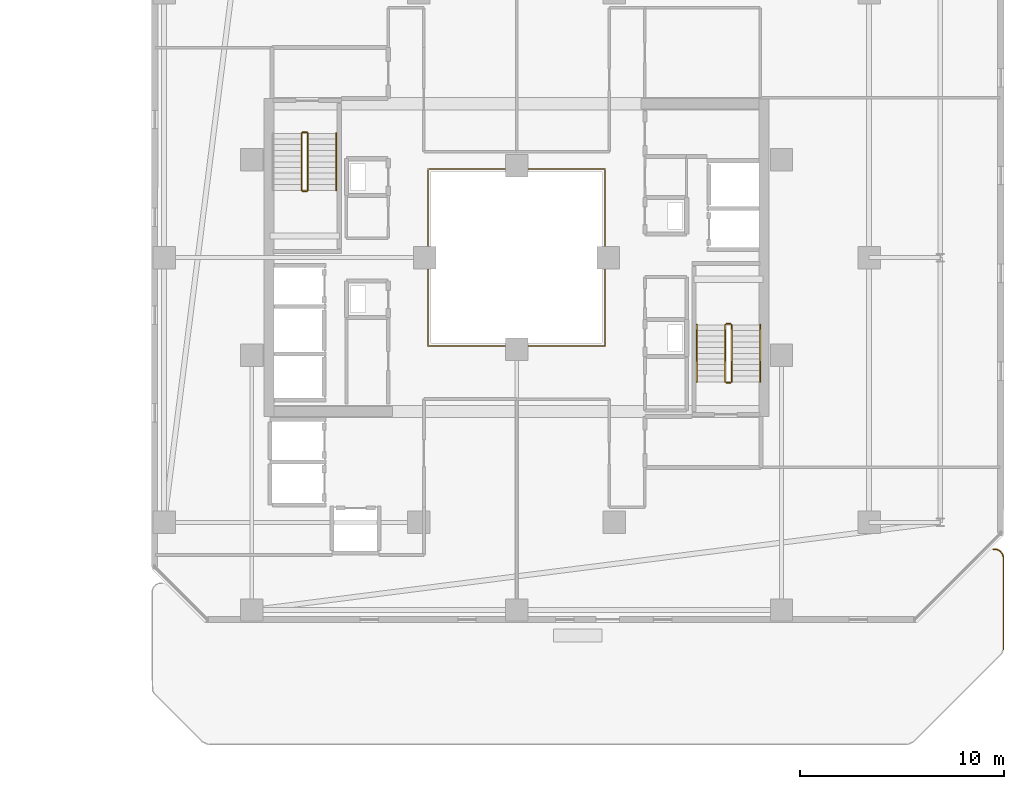
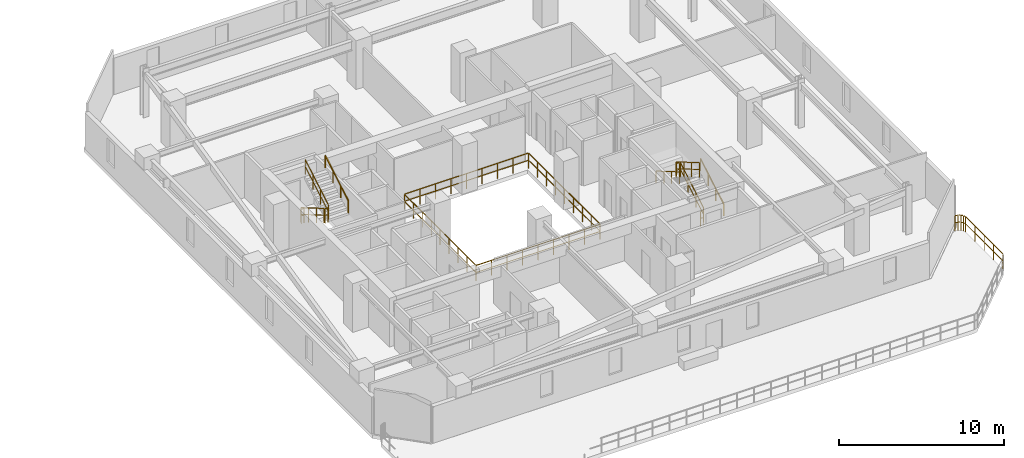
# One storey, part 30 of 30: 13 railings.
"""IFC4 building model written with IfcOpenShell, lengths in metres."""

from ifc_helpers import new_model, si_unit, direction, frame, origin, origin_2d, place, context, subcontext, project, spatial, rectangle, extrude, material, type_object, element, save


model = new_model("IFC4")

# Units and contexts
model_context = context("Model", 3, precision=1e-05, world=origin(), true_north=direction((0.0, 1.0)))
body_context = subcontext(model_context, "Body", "Model", "MODEL_VIEW")
ifc_project = project(units=[si_unit("LENGTHUNIT", "METRE"), si_unit("AREAUNIT", "SQUARE_METRE"), si_unit("VOLUMEUNIT", "CUBIC_METRE"), si_unit("PLANEANGLEUNIT", "RADIAN"), si_unit("MASSUNIT", "GRAM", prefix="KILO")], contexts=[model_context])

# Site, building, storey
site_placement = place(None, origin())
site = spatial("IfcSite", under=ifc_project, at=site_placement, CompositionType="ELEMENT")
building_placement = place(site_placement, origin())
building = spatial("IfcBuilding", under=site, at=building_placement, Name="Thornwick Lancets Civic Towers", CompositionType="ELEMENT")
storey_placement = place(building_placement, frame((0.0, 0.0, 149.10009765625)))
storey = spatial("IfcBuildingStorey", under=building, at=storey_placement, Name="L39", CompositionType="ELEMENT", Elevation=149.10009765625)

# Railings
ifc_material_1 = material(Name="Laminated glass and bronze steel S355", Category="steel")
railing_type_1 = type_object("IfcRailingType", Name="RAIL_ATRIUM_GUARD", PredefinedType="BALUSTRADE", material=ifc_material_1)
railing_1_placement = place(storey_placement, frame((84.159912109375, 22.659912109375, 0.0)))
element("IfcRailing", 1, at=railing_1_placement, inside=storey, type_object=railing_type_1, Name="L39 Tower B Central Atrium Guard Balustrade", PredefinedType="BALUSTRADE", context=body_context, shape_type="SweptSolid", body=[
    extrude(rectangle(XDim=0.048095703125, YDim=0.048095703125, at=origin_2d()), frame((0.0, 0.0, 1.1259765625), z_axis=(1.0, 0.0, 0.0), x_axis=(0.0, 1.0, 0.0)), (0.0, 0.0, 1.0), 8.64892578125),
    extrude(rectangle(XDim=0.0419921875, YDim=0.0419921875, at=origin_2d()), frame((0.03759765625, 0.0, 0.597900390625), z_axis=(1.0, 0.0, 0.0), x_axis=(0.0, 1.0, 0.0)), (0.0, 0.0, 1.0), 1.010009765625),
    extrude(rectangle(XDim=0.0419921875, YDim=0.0419921875, at=origin_2d()), frame((1.12255859375, 0.0, 0.597900390625), z_axis=(1.0, 0.0, 0.0), x_axis=(0.0, 1.0, 0.0)), (0.0, 0.0, 1.0), 1.010009765625),
    extrude(rectangle(XDim=0.0419921875, YDim=0.0419921875, at=origin_2d()), frame((2.20751953125, 0.0, 0.597900390625), z_axis=(1.0, 0.0, 0.0), x_axis=(0.0, 1.0, 0.0)), (0.0, 0.0, 1.0), 1.010009765625),
    extrude(rectangle(XDim=0.0419921875, YDim=0.0419921875, at=origin_2d()), frame((3.29248046875, 0.0, 0.597900390625), z_axis=(1.0, 0.0, 0.0), x_axis=(0.0, 1.0, 0.0)), (0.0, 0.0, 1.0), 1.010009765625),
    extrude(rectangle(XDim=0.0419921875, YDim=0.0419921875, at=origin_2d()), frame((4.377685546875, 0.0, 0.597900390625), z_axis=(1.0, 0.0, 0.0), x_axis=(0.0, 1.0, 0.0)), (0.0, 0.0, 1.0), 1.010009765625),
    extrude(rectangle(XDim=0.0419921875, YDim=0.0419921875, at=origin_2d()), frame((5.462646484375, 0.0, 0.597900390625), z_axis=(1.0, 0.0, 0.0), x_axis=(0.0, 1.0, 0.0)), (0.0, 0.0, 1.0), 1.010009765625),
    extrude(rectangle(XDim=0.0419921875, YDim=0.0419921875, at=origin_2d()), frame((6.547607421875, 0.0, 0.597900390625), z_axis=(1.0, 0.0, 0.0), x_axis=(0.0, 1.0, 0.0)), (0.0, 0.0, 1.0), 1.010009765625),
    extrude(rectangle(XDim=0.0419921875, YDim=0.0419921875, at=origin_2d()), frame((7.632568359375, 0.0, 0.597900390625), z_axis=(1.0, 0.0, 0.0), x_axis=(0.0, 1.0, 0.0)), (0.0, 0.0, 1.0), 1.010009765625),
    extrude(rectangle(XDim=0.048095703125, YDim=0.048095703125, at=origin_2d()), frame((8.68017578125, 0.03125, 1.1259765625), z_axis=(0.0, 1.0, 0.0), x_axis=(-1.0, 0.0, 0.0)), (0.0, 0.0, 1.0), 8.61767578125),
    extrude(rectangle(XDim=0.0419921875, YDim=0.0419921875, at=origin_2d()), frame((8.68017578125, 0.03759765625, 0.597900390625), z_axis=(0.0, 1.0, 0.0), x_axis=(-1.0, 0.0, 0.0)), (0.0, 0.0, 1.0), 1.010009765625),
    extrude(rectangle(XDim=0.0419921875, YDim=0.0419921875, at=origin_2d()), frame((8.68017578125, 1.12255859375, 0.597900390625), z_axis=(0.0, 1.0, 0.0), x_axis=(-1.0, 0.0, 0.0)), (0.0, 0.0, 1.0), 1.010009765625),
    extrude(rectangle(XDim=0.0419921875, YDim=0.0419921875, at=origin_2d()), frame((8.68017578125, 2.20751953125, 0.597900390625), z_axis=(0.0, 1.0, 0.0), x_axis=(-1.0, 0.0, 0.0)), (0.0, 0.0, 1.0), 1.010009765625),
    extrude(rectangle(XDim=0.0419921875, YDim=0.0419921875, at=origin_2d()), frame((8.68017578125, 3.29248046875, 0.597900390625), z_axis=(0.0, 1.0, 0.0), x_axis=(-1.0, 0.0, 0.0)), (0.0, 0.0, 1.0), 1.010009765625),
    extrude(rectangle(XDim=0.0419921875, YDim=0.0419921875, at=origin_2d()), frame((8.68017578125, 4.377685546875, 0.597900390625), z_axis=(0.0, 1.0, 0.0), x_axis=(-1.0, 0.0, 0.0)), (0.0, 0.0, 1.0), 1.010009765625),
    extrude(rectangle(XDim=0.0419921875, YDim=0.0419921875, at=origin_2d()), frame((8.68017578125, 5.462646484375, 0.597900390625), z_axis=(0.0, 1.0, 0.0), x_axis=(-1.0, 0.0, 0.0)), (0.0, 0.0, 1.0), 1.010009765625),
    extrude(rectangle(XDim=0.0419921875, YDim=0.0419921875, at=origin_2d()), frame((8.68017578125, 6.547607421875, 0.597900390625), z_axis=(0.0, 1.0, 0.0), x_axis=(-1.0, 0.0, 0.0)), (0.0, 0.0, 1.0), 1.010009765625),
    extrude(rectangle(XDim=0.0419921875, YDim=0.0419921875, at=origin_2d()), frame((8.68017578125, 7.632568359375, 0.597900390625), z_axis=(0.0, 1.0, 0.0), x_axis=(-1.0, 0.0, 0.0)), (0.0, 0.0, 1.0), 1.010009765625),
    extrude(rectangle(XDim=0.048095703125, YDim=0.048095703125, at=origin_2d()), frame((8.64892578125, 8.68017578125, 1.1259765625), z_axis=(-1.0, 0.0, 0.0), x_axis=(0.0, -1.0, 0.0)), (0.0, 0.0, 1.0), 8.61767578125),
    extrude(rectangle(XDim=0.0419921875, YDim=0.0419921875, at=origin_2d()), frame((8.642578125, 8.68017578125, 0.597900390625), z_axis=(-1.0, 0.0, 0.0), x_axis=(0.0, -1.0, 0.0)), (0.0, 0.0, 1.0), 1.010009765625),
    extrude(rectangle(XDim=0.0419921875, YDim=0.0419921875, at=origin_2d()), frame((7.5576171875, 8.68017578125, 0.597900390625), z_axis=(-1.0, 0.0, 0.0), x_axis=(0.0, -1.0, 0.0)), (0.0, 0.0, 1.0), 1.010009765625),
    extrude(rectangle(XDim=0.0419921875, YDim=0.0419921875, at=origin_2d()), frame((6.47265625, 8.68017578125, 0.597900390625), z_axis=(-1.0, 0.0, 0.0), x_axis=(0.0, -1.0, 0.0)), (0.0, 0.0, 1.0), 1.010009765625),
    extrude(rectangle(XDim=0.0419921875, YDim=0.0419921875, at=origin_2d()), frame((5.3876953125, 8.68017578125, 0.597900390625), z_axis=(-1.0, 0.0, 0.0), x_axis=(0.0, -1.0, 0.0)), (0.0, 0.0, 1.0), 1.010009765625),
    extrude(rectangle(XDim=0.0419921875, YDim=0.0419921875, at=origin_2d()), frame((4.302490234375, 8.68017578125, 0.597900390625), z_axis=(-1.0, 0.0, 0.0), x_axis=(0.0, -1.0, 0.0)), (0.0, 0.0, 1.0), 1.010009765625),
    extrude(rectangle(XDim=0.0419921875, YDim=0.0419921875, at=origin_2d()), frame((3.217529296875, 8.68017578125, 0.597900390625), z_axis=(-1.0, 0.0, 0.0), x_axis=(0.0, -1.0, 0.0)), (0.0, 0.0, 1.0), 1.010009765625),
    extrude(rectangle(XDim=0.0419921875, YDim=0.0419921875, at=origin_2d()), frame((2.132568359375, 8.68017578125, 0.597900390625), z_axis=(-1.0, 0.0, 0.0), x_axis=(0.0, -1.0, 0.0)), (0.0, 0.0, 1.0), 1.010009765625),
    extrude(rectangle(XDim=0.0419921875, YDim=0.0419921875, at=origin_2d()), frame((1.047607421875, 8.68017578125, 0.597900390625), z_axis=(-1.0, 0.0, 0.0), x_axis=(0.0, -1.0, 0.0)), (0.0, 0.0, 1.0), 1.010009765625),
    extrude(rectangle(XDim=0.048095703125, YDim=0.048095703125, at=origin_2d()), frame((0.0, 8.64892578125, 1.1259765625), z_axis=(0.0, -1.0, 0.0), x_axis=(1.0, 0.0, 0.0)), (0.0, 0.0, 1.0), 8.64892578125),
    extrude(rectangle(XDim=0.0419921875, YDim=0.0419921875, at=origin_2d()), frame((0.0, 8.642578125, 0.597900390625), z_axis=(0.0, -1.0, 0.0), x_axis=(1.0, 0.0, 0.0)), (0.0, 0.0, 1.0), 1.010009765625),
    extrude(rectangle(XDim=0.0419921875, YDim=0.0419921875, at=origin_2d()), frame((0.0, 7.5576171875, 0.597900390625), z_axis=(0.0, -1.0, 0.0), x_axis=(1.0, 0.0, 0.0)), (0.0, 0.0, 1.0), 1.010009765625),
    extrude(rectangle(XDim=0.0419921875, YDim=0.0419921875, at=origin_2d()), frame((0.0, 6.47265625, 0.597900390625), z_axis=(0.0, -1.0, 0.0), x_axis=(1.0, 0.0, 0.0)), (0.0, 0.0, 1.0), 1.010009765625),
    extrude(rectangle(XDim=0.0419921875, YDim=0.0419921875, at=origin_2d()), frame((0.0, 5.3876953125, 0.597900390625), z_axis=(0.0, -1.0, 0.0), x_axis=(1.0, 0.0, 0.0)), (0.0, 0.0, 1.0), 1.010009765625),
    extrude(rectangle(XDim=0.0419921875, YDim=0.0419921875, at=origin_2d()), frame((0.0, 4.302490234375, 0.597900390625), z_axis=(0.0, -1.0, 0.0), x_axis=(1.0, 0.0, 0.0)), (0.0, 0.0, 1.0), 1.010009765625),
    extrude(rectangle(XDim=0.0419921875, YDim=0.0419921875, at=origin_2d()), frame((0.0, 3.217529296875, 0.597900390625), z_axis=(0.0, -1.0, 0.0), x_axis=(1.0, 0.0, 0.0)), (0.0, 0.0, 1.0), 1.010009765625),
    extrude(rectangle(XDim=0.0419921875, YDim=0.0419921875, at=origin_2d()), frame((0.0, 2.132568359375, 0.597900390625), z_axis=(0.0, -1.0, 0.0), x_axis=(1.0, 0.0, 0.0)), (0.0, 0.0, 1.0), 1.010009765625),
    extrude(rectangle(XDim=0.0419921875, YDim=0.0419921875, at=origin_2d()), frame((0.0, 1.047607421875, 0.597900390625), z_axis=(0.0, -1.0, 0.0), x_axis=(1.0, 0.0, 0.0)), (0.0, 0.0, 1.0), 1.010009765625),
    extrude(rectangle(XDim=0.0419921875, YDim=0.0419921875, at=origin_2d()), origin(), (0.0, 0.0, 1.0), 1.095703125),
    extrude(rectangle(XDim=0.0419921875, YDim=0.0419921875, at=origin_2d()), frame((1.0849609375, 0.0, 0.0)), (0.0, 0.0, 1.0), 1.095703125),
    extrude(rectangle(XDim=0.0419921875, YDim=0.0419921875, at=origin_2d()), frame((2.169921875, 0.0, 0.0)), (0.0, 0.0, 1.0), 1.095703125),
    extrude(rectangle(XDim=0.0419921875, YDim=0.0419921875, at=origin_2d()), frame((3.255126953125, 0.0, 0.0)), (0.0, 0.0, 1.0), 1.095703125),
    extrude(rectangle(XDim=0.0419921875, YDim=0.0419921875, at=origin_2d()), frame((4.340087890625, 0.0, 0.0)), (0.0, 0.0, 1.0), 1.095703125),
    extrude(rectangle(XDim=0.0419921875, YDim=0.0419921875, at=origin_2d()), frame((5.425048828125, 0.0, 0.0)), (0.0, 0.0, 1.0), 1.095703125),
    extrude(rectangle(XDim=0.0419921875, YDim=0.0419921875, at=origin_2d()), frame((6.51025390625, 0.0, 0.0)), (0.0, 0.0, 1.0), 1.095703125),
    extrude(rectangle(XDim=0.0419921875, YDim=0.0419921875, at=origin_2d()), frame((7.59521484375, 0.0, 0.0)), (0.0, 0.0, 1.0), 1.095703125),
    extrude(rectangle(XDim=0.0419921875, YDim=0.0419921875, at=origin_2d()), frame((8.68017578125, 0.0, 0.0)), (0.0, 0.0, 1.0), 1.095703125),
    extrude(rectangle(XDim=0.0419921875, YDim=0.0419921875, at=origin_2d()), frame((8.68017578125, 1.0849609375, 0.0)), (0.0, 0.0, 1.0), 1.095703125),
    extrude(rectangle(XDim=0.0419921875, YDim=0.0419921875, at=origin_2d()), frame((8.68017578125, 2.169921875, 0.0)), (0.0, 0.0, 1.0), 1.095703125),
    extrude(rectangle(XDim=0.0419921875, YDim=0.0419921875, at=origin_2d()), frame((8.68017578125, 3.255126953125, 0.0)), (0.0, 0.0, 1.0), 1.095703125),
    extrude(rectangle(XDim=0.0419921875, YDim=0.0419921875, at=origin_2d()), frame((8.68017578125, 4.340087890625, 0.0)), (0.0, 0.0, 1.0), 1.095703125),
    extrude(rectangle(XDim=0.0419921875, YDim=0.0419921875, at=origin_2d()), frame((8.68017578125, 5.425048828125, 0.0)), (0.0, 0.0, 1.0), 1.095703125),
    extrude(rectangle(XDim=0.0419921875, YDim=0.0419921875, at=origin_2d()), frame((8.68017578125, 6.51025390625, 0.0)), (0.0, 0.0, 1.0), 1.095703125),
    extrude(rectangle(XDim=0.0419921875, YDim=0.0419921875, at=origin_2d()), frame((8.68017578125, 7.59521484375, 0.0)), (0.0, 0.0, 1.0), 1.095703125),
    extrude(rectangle(XDim=0.0419921875, YDim=0.0419921875, at=origin_2d()), frame((8.68017578125, 8.68017578125, 0.0)), (0.0, 0.0, 1.0), 1.095703125),
    extrude(rectangle(XDim=0.0419921875, YDim=0.0419921875, at=origin_2d()), frame((7.59521484375, 8.68017578125, 0.0)), (0.0, 0.0, 1.0), 1.095703125),
    extrude(rectangle(XDim=0.0419921875, YDim=0.0419921875, at=origin_2d()), frame((6.51025390625, 8.68017578125, 0.0)), (0.0, 0.0, 1.0), 1.095703125),
    extrude(rectangle(XDim=0.0419921875, YDim=0.0419921875, at=origin_2d()), frame((5.425048828125, 8.68017578125, 0.0)), (0.0, 0.0, 1.0), 1.095703125),
    extrude(rectangle(XDim=0.0419921875, YDim=0.0419921875, at=origin_2d()), frame((4.340087890625, 8.68017578125, 0.0)), (0.0, 0.0, 1.0), 1.095703125),
    extrude(rectangle(XDim=0.0419921875, YDim=0.0419921875, at=origin_2d()), frame((3.255126953125, 8.68017578125, 0.0)), (0.0, 0.0, 1.0), 1.095703125),
    extrude(rectangle(XDim=0.0419921875, YDim=0.0419921875, at=origin_2d()), frame((2.169921875, 8.68017578125, 0.0)), (0.0, 0.0, 1.0), 1.095703125),
    extrude(rectangle(XDim=0.0419921875, YDim=0.0419921875, at=origin_2d()), frame((1.0849609375, 8.68017578125, 0.0)), (0.0, 0.0, 1.0), 1.095703125),
    extrude(rectangle(XDim=0.0419921875, YDim=0.0419921875, at=origin_2d()), frame((0.0, 8.68017578125, 0.0)), (0.0, 0.0, 1.0), 1.095703125),
    extrude(rectangle(XDim=0.0419921875, YDim=0.0419921875, at=origin_2d()), frame((0.0, 7.59521484375, 0.0)), (0.0, 0.0, 1.0), 1.095703125),
    extrude(rectangle(XDim=0.0419921875, YDim=0.0419921875, at=origin_2d()), frame((0.0, 6.51025390625, 0.0)), (0.0, 0.0, 1.0), 1.095703125),
    extrude(rectangle(XDim=0.0419921875, YDim=0.0419921875, at=origin_2d()), frame((0.0, 5.425048828125, 0.0)), (0.0, 0.0, 1.0), 1.095703125),
    extrude(rectangle(XDim=0.0419921875, YDim=0.0419921875, at=origin_2d()), frame((0.0, 4.340087890625, 0.0)), (0.0, 0.0, 1.0), 1.095703125),
    extrude(rectangle(XDim=0.0419921875, YDim=0.0419921875, at=origin_2d()), frame((0.0, 3.255126953125, 0.0)), (0.0, 0.0, 1.0), 1.095703125),
    extrude(rectangle(XDim=0.0419921875, YDim=0.0419921875, at=origin_2d()), frame((0.0, 2.169921875, 0.0)), (0.0, 0.0, 1.0), 1.095703125),
    extrude(rectangle(XDim=0.0419921875, YDim=0.0419921875, at=origin_2d()), frame((0.0, 1.0849609375, 0.0)), (0.0, 0.0, 1.0), 1.095703125),
])
ifc_material_2 = material(Name="Brushed stainless steel S355", Category="steel")
railing_type_2 = type_object("IfcRailingType", Name="RAIL_HANDRAIL", PredefinedType="HANDRAIL", material=ifc_material_2)
railing_2_placement = place(storey_placement, frame((100.449951171875, 20.89990234375, 0.16357421875)))
element("IfcRailing", 2, at=railing_2_placement, inside=storey, type_object=railing_type_2, Name="L39 ST-B1 stair handrail 1", PredefinedType="HANDRAIL", context=body_context, shape_type="SweptSolid", body=[
    extrude(rectangle(XDim=0.048095703125, YDim=0.048095703125, at=origin_2d()), frame((0.0, 0.0, 0.8857421875), z_axis=(0.0, 0.863393664356, 0.504530851732), x_axis=(-1.0, 0.0, 0.0)), (0.0, 0.0, 1.0), 3.2431640625),
    extrude(rectangle(XDim=0.0419921875, YDim=0.0419921875, at=origin_2d()), origin(), (0.0, 0.0, 1.0), 0.855712890625),
    extrude(rectangle(XDim=0.0419921875, YDim=0.0419921875, at=origin_2d()), frame((0.0, 0.933349609375, 0.54541015625)), (0.0, 0.0, 1.0), 0.855712890625),
    extrude(rectangle(XDim=0.0419921875, YDim=0.0419921875, at=origin_2d()), frame((0.0, 1.86669921875, 1.0908203125)), (0.0, 0.0, 1.0), 0.855712890625),
    extrude(rectangle(XDim=0.0419921875, YDim=0.0419921875, at=origin_2d()), frame((0.0, 2.800048828125, 1.63623046875)), (0.0, 0.0, 1.0), 0.855712890625),
])
railing_3_placement = place(storey_placement, frame((97.35009765625, 23.699951171875, 1.963623046875)))
element("IfcRailing", 3, at=railing_3_placement, inside=storey, type_object=railing_type_2, Name="L39 ST-B1 stair handrail 2", PredefinedType="HANDRAIL", context=body_context, shape_type="SweptSolid", body=[
    extrude(rectangle(XDim=0.048095703125, YDim=0.048095703125, at=origin_2d()), frame((0.0, 0.0, 0.8857421875), z_axis=(0.0, -0.863393664356, 0.504530851732), x_axis=(1.0, 0.0, 0.0)), (0.0, 0.0, 1.0), 3.2431640625),
    extrude(rectangle(XDim=0.0419921875, YDim=0.0419921875, at=origin_2d()), origin(), (0.0, 0.0, 1.0), 0.855712890625),
    extrude(rectangle(XDim=0.0419921875, YDim=0.0419921875, at=origin_2d()), frame((0.0, -0.933349609375, 0.54541015625)), (0.0, 0.0, 1.0), 0.855712890625),
    extrude(rectangle(XDim=0.0419921875, YDim=0.0419921875, at=origin_2d()), frame((0.0, -1.86669921875, 1.0908203125)), (0.0, 0.0, 1.0), 0.855712890625),
    extrude(rectangle(XDim=0.0419921875, YDim=0.0419921875, at=origin_2d()), frame((0.0, -2.800048828125, 1.63623046875)), (0.0, 0.0, 1.0), 0.855712890625),
])
railing_4_placement = place(storey_placement, frame((79.64990234375, 30.300048828125, 1.963623046875)))
element("IfcRailing", 4, at=railing_4_placement, inside=storey, type_object=railing_type_2, Name="L39 ST-B2 stair handrail 2", PredefinedType="HANDRAIL", context=body_context, shape_type="SweptSolid", body=[
    extrude(rectangle(XDim=0.048095703125, YDim=0.048095703125, at=origin_2d()), frame((0.0, 0.0, 0.8857421875), z_axis=(0.0, 0.863393664356, 0.504530851732), x_axis=(-1.0, 0.0, 0.0)), (0.0, 0.0, 1.0), 3.2431640625),
    extrude(rectangle(XDim=0.0419921875, YDim=0.0419921875, at=origin_2d()), origin(), (0.0, 0.0, 1.0), 0.855712890625),
    extrude(rectangle(XDim=0.0419921875, YDim=0.0419921875, at=origin_2d()), frame((0.0, 0.933349609375, 0.54541015625)), (0.0, 0.0, 1.0), 0.855712890625),
    extrude(rectangle(XDim=0.0419921875, YDim=0.0419921875, at=origin_2d()), frame((0.0, 1.86669921875, 1.0908203125)), (0.0, 0.0, 1.0), 0.855712890625),
    extrude(rectangle(XDim=0.0419921875, YDim=0.0419921875, at=origin_2d()), frame((0.0, 2.800048828125, 1.63623046875)), (0.0, 0.0, 1.0), 0.855712890625),
])
ifc_material_3 = material(Name="Steel S355JR", Category="steel")
railing_type_3 = type_object("IfcRailingType", Name="RAIL_STAIR_GUARD", PredefinedType="GUARDRAIL", material=ifc_material_3)
railing_5_placement = place(storey_placement, frame((99.050048828125, 20.89990234375, 0.16357421875)))
element("IfcRailing", 5, at=railing_5_placement, inside=storey, type_object=railing_type_3, Name="L39 ST-B1 stair guard 1", PredefinedType="GUARDRAIL", context=body_context, shape_type="SweptSolid", body=[
    extrude(rectangle(XDim=0.048095703125, YDim=0.048095703125, at=origin_2d()), frame((0.0, 0.0, 1.076171875), z_axis=(0.0, 0.863393664356, 0.504530851732), x_axis=(-1.0, 0.0, 0.0)), (0.0, 0.0, 1.0), 3.2431640625),
    extrude(rectangle(XDim=0.0419921875, YDim=0.0419921875, at=origin_2d()), frame((0.0, 0.032470703125, 0.591064453125), z_axis=(0.0, 0.863393664356, 0.504530851732), x_axis=(-1.0, 0.0, 0.0)), (0.0, 0.0, 1.0), 1.006103515625),
    extrude(rectangle(XDim=0.0419921875, YDim=0.0419921875, at=origin_2d()), frame((0.0, 0.9658203125, 1.136474609375), z_axis=(0.0, 0.863393664356, 0.504530851732), x_axis=(-1.0, 0.0, 0.0)), (0.0, 0.0, 1.0), 1.006103515625),
    extrude(rectangle(XDim=0.0419921875, YDim=0.0419921875, at=origin_2d()), frame((0.0, 1.899169921875, 1.681884765625), z_axis=(0.0, 0.863393664356, 0.504530851732), x_axis=(-1.0, 0.0, 0.0)), (0.0, 0.0, 1.0), 1.006103515625),
    extrude(rectangle(XDim=0.0419921875, YDim=0.0419921875, at=origin_2d()), origin(), (0.0, 0.0, 1.0), 1.0458984375),
    extrude(rectangle(XDim=0.0419921875, YDim=0.0419921875, at=origin_2d()), frame((0.0, 0.933349609375, 0.54541015625)), (0.0, 0.0, 1.0), 1.0458984375),
    extrude(rectangle(XDim=0.0419921875, YDim=0.0419921875, at=origin_2d()), frame((0.0, 1.86669921875, 1.0908203125)), (0.0, 0.0, 1.0), 1.0458984375),
    extrude(rectangle(XDim=0.0419921875, YDim=0.0419921875, at=origin_2d()), frame((0.0, 2.800048828125, 1.63623046875)), (0.0, 0.0, 1.0), 1.0458984375),
])
railing_6_placement = place(storey_placement, frame((99.0, 23.75, 1.7998046875)))
element("IfcRailing", 6, at=railing_6_placement, inside=storey, type_object=railing_type_3, Name="L39 ST-B1 stair guard 2", PredefinedType="GUARDRAIL", context=body_context, shape_type="SweptSolid", body=[
    extrude(rectangle(XDim=0.048095703125, YDim=0.048095703125, at=origin_2d()), frame((0.0, 0.0, 1.076171875), z_axis=(-1.0, 0.0, 0.0), x_axis=(0.0, -1.0, 0.0)), (0.0, 0.0, 1.0), 0.199951171875),
    extrude(rectangle(XDim=0.0419921875, YDim=0.0419921875, at=origin_2d()), frame((-0.03759765625, 0.0, 0.572021484375), z_axis=(-1.0, 0.0, 0.0), x_axis=(0.0, -1.0, 0.0)), (0.0, 0.0, 1.0), 0.125),
    extrude(rectangle(XDim=0.0419921875, YDim=0.0419921875, at=origin_2d()), origin(), (0.0, 0.0, 1.0), 1.0458984375),
    extrude(rectangle(XDim=0.0419921875, YDim=0.0419921875, at=origin_2d()), frame((-0.199951171875, 0.0, 0.0)), (0.0, 0.0, 1.0), 1.0458984375),
])
railing_7_placement = place(storey_placement, frame((98.75, 23.699951171875, 1.963623046875)))
element("IfcRailing", 7, at=railing_7_placement, inside=storey, type_object=railing_type_3, Name="L39 ST-B1 stair guard 3", PredefinedType="GUARDRAIL", context=body_context, shape_type="SweptSolid", body=[
    extrude(rectangle(XDim=0.048095703125, YDim=0.048095703125, at=origin_2d()), frame((0.0, 0.0, 1.076171875), z_axis=(0.0, -0.863393664356, 0.504530851732), x_axis=(1.0, 0.0, 0.0)), (0.0, 0.0, 1.0), 3.2431640625),
    extrude(rectangle(XDim=0.0419921875, YDim=0.0419921875, at=origin_2d()), frame((0.0, -0.032470703125, 0.591064453125), z_axis=(0.0, -0.863393664356, 0.504530851732), x_axis=(1.0, 0.0, 0.0)), (0.0, 0.0, 1.0), 1.006103515625),
    extrude(rectangle(XDim=0.0419921875, YDim=0.0419921875, at=origin_2d()), frame((0.0, -0.9658203125, 1.136474609375), z_axis=(0.0, -0.863393664356, 0.504530851732), x_axis=(1.0, 0.0, 0.0)), (0.0, 0.0, 1.0), 1.006103515625),
    extrude(rectangle(XDim=0.0419921875, YDim=0.0419921875, at=origin_2d()), frame((0.0, -1.899169921875, 1.681884765625), z_axis=(0.0, -0.863393664356, 0.504530851732), x_axis=(1.0, 0.0, 0.0)), (0.0, 0.0, 1.0), 1.006103515625),
    extrude(rectangle(XDim=0.0419921875, YDim=0.0419921875, at=origin_2d()), origin(), (0.0, 0.0, 1.0), 1.0458984375),
    extrude(rectangle(XDim=0.0419921875, YDim=0.0419921875, at=origin_2d()), frame((0.0, -0.933349609375, 0.54541015625)), (0.0, 0.0, 1.0), 1.0458984375),
    extrude(rectangle(XDim=0.0419921875, YDim=0.0419921875, at=origin_2d()), frame((0.0, -1.86669921875, 1.0908203125)), (0.0, 0.0, 1.0), 1.0458984375),
    extrude(rectangle(XDim=0.0419921875, YDim=0.0419921875, at=origin_2d()), frame((0.0, -2.800048828125, 1.63623046875)), (0.0, 0.0, 1.0), 1.0458984375),
])
railing_8_placement = place(storey_placement, frame((99.0, 20.85009765625, 0.0)))
element("IfcRailing", 8, at=railing_8_placement, inside=storey, type_object=railing_type_3, Name="L39 ST-B1 stair guard 4", PredefinedType="GUARDRAIL", context=body_context, shape_type="SweptSolid", body=[
    extrude(rectangle(XDim=0.048095703125, YDim=0.048095703125, at=origin_2d()), frame((0.0, 0.0, 1.076171875), z_axis=(-1.0, 0.0, 0.0), x_axis=(0.0, -1.0, 0.0)), (0.0, 0.0, 1.0), 0.199951171875),
    extrude(rectangle(XDim=0.0419921875, YDim=0.0419921875, at=origin_2d()), frame((-0.03759765625, 0.0, 0.572021484375), z_axis=(-1.0, 0.0, 0.0), x_axis=(0.0, -1.0, 0.0)), (0.0, 0.0, 1.0), 0.125),
    extrude(rectangle(XDim=0.0419921875, YDim=0.0419921875, at=origin_2d()), origin(), (0.0, 0.0, 1.0), 1.0458984375),
    extrude(rectangle(XDim=0.0419921875, YDim=0.0419921875, at=origin_2d()), frame((-0.199951171875, 0.0, 0.0)), (0.0, 0.0, 1.0), 1.0458984375),
])
railing_9_placement = place(storey_placement, frame((77.949951171875, 33.10009765625, 0.16357421875)))
element("IfcRailing", 9, at=railing_9_placement, inside=storey, type_object=railing_type_3, Name="L39 ST-B2 stair guard 1", PredefinedType="GUARDRAIL", context=body_context, shape_type="SweptSolid", body=[
    extrude(rectangle(XDim=0.048095703125, YDim=0.048095703125, at=origin_2d()), frame((0.0, 0.0, 1.076171875), z_axis=(0.0, -0.863393664356, 0.504530851732), x_axis=(1.0, 0.0, 0.0)), (0.0, 0.0, 1.0), 3.2431640625),
    extrude(rectangle(XDim=0.0419921875, YDim=0.0419921875, at=origin_2d()), frame((0.0, -0.032470703125, 0.591064453125), z_axis=(0.0, -0.863393664356, 0.504530851732), x_axis=(1.0, 0.0, 0.0)), (0.0, 0.0, 1.0), 1.006103515625),
    extrude(rectangle(XDim=0.0419921875, YDim=0.0419921875, at=origin_2d()), frame((0.0, -0.9658203125, 1.136474609375), z_axis=(0.0, -0.863393664356, 0.504530851732), x_axis=(1.0, 0.0, 0.0)), (0.0, 0.0, 1.0), 1.006103515625),
    extrude(rectangle(XDim=0.0419921875, YDim=0.0419921875, at=origin_2d()), frame((0.0, -1.899169921875, 1.681884765625), z_axis=(0.0, -0.863393664356, 0.504530851732), x_axis=(1.0, 0.0, 0.0)), (0.0, 0.0, 1.0), 1.006103515625),
    extrude(rectangle(XDim=0.0419921875, YDim=0.0419921875, at=origin_2d()), origin(), (0.0, 0.0, 1.0), 1.0458984375),
    extrude(rectangle(XDim=0.0419921875, YDim=0.0419921875, at=origin_2d()), frame((0.0, -0.933349609375, 0.54541015625)), (0.0, 0.0, 1.0), 1.0458984375),
    extrude(rectangle(XDim=0.0419921875, YDim=0.0419921875, at=origin_2d()), frame((0.0, -1.86669921875, 1.0908203125)), (0.0, 0.0, 1.0), 1.0458984375),
    extrude(rectangle(XDim=0.0419921875, YDim=0.0419921875, at=origin_2d()), frame((0.0, -2.800048828125, 1.63623046875)), (0.0, 0.0, 1.0), 1.0458984375),
])
railing_10_placement = place(storey_placement, frame((78.0, 30.25, 1.7998046875)))
element("IfcRailing", 10, at=railing_10_placement, inside=storey, type_object=railing_type_3, Name="L39 ST-B2 stair guard 2", PredefinedType="GUARDRAIL", context=body_context, shape_type="SweptSolid", body=[
    extrude(rectangle(XDim=0.048095703125, YDim=0.048095703125, at=origin_2d()), frame((0.0, 0.0, 1.076171875), z_axis=(1.0, 0.0, 0.0), x_axis=(0.0, 1.0, 0.0)), (0.0, 0.0, 1.0), 0.199951171875),
    extrude(rectangle(XDim=0.0419921875, YDim=0.0419921875, at=origin_2d()), frame((0.03759765625, 0.0, 0.572021484375), z_axis=(1.0, 0.0, 0.0), x_axis=(0.0, 1.0, 0.0)), (0.0, 0.0, 1.0), 0.125),
    extrude(rectangle(XDim=0.0419921875, YDim=0.0419921875, at=origin_2d()), origin(), (0.0, 0.0, 1.0), 1.0458984375),
    extrude(rectangle(XDim=0.0419921875, YDim=0.0419921875, at=origin_2d()), frame((0.199951171875, 0.0, 0.0)), (0.0, 0.0, 1.0), 1.0458984375),
])
railing_11_placement = place(storey_placement, frame((78.25, 30.300048828125, 1.963623046875)))
element("IfcRailing", 11, at=railing_11_placement, inside=storey, type_object=railing_type_3, Name="L39 ST-B2 stair guard 3", PredefinedType="GUARDRAIL", context=body_context, shape_type="SweptSolid", body=[
    extrude(rectangle(XDim=0.048095703125, YDim=0.048095703125, at=origin_2d()), frame((0.0, 0.0, 1.076171875), z_axis=(0.0, 0.863393664356, 0.504530851732), x_axis=(-1.0, 0.0, 0.0)), (0.0, 0.0, 1.0), 3.2431640625),
    extrude(rectangle(XDim=0.0419921875, YDim=0.0419921875, at=origin_2d()), frame((0.0, 0.032470703125, 0.591064453125), z_axis=(0.0, 0.863393664356, 0.504530851732), x_axis=(-1.0, 0.0, 0.0)), (0.0, 0.0, 1.0), 1.006103515625),
    extrude(rectangle(XDim=0.0419921875, YDim=0.0419921875, at=origin_2d()), frame((0.0, 0.9658203125, 1.136474609375), z_axis=(0.0, 0.863393664356, 0.504530851732), x_axis=(-1.0, 0.0, 0.0)), (0.0, 0.0, 1.0), 1.006103515625),
    extrude(rectangle(XDim=0.0419921875, YDim=0.0419921875, at=origin_2d()), frame((0.0, 1.899169921875, 1.681884765625), z_axis=(0.0, 0.863393664356, 0.504530851732), x_axis=(-1.0, 0.0, 0.0)), (0.0, 0.0, 1.0), 1.006103515625),
    extrude(rectangle(XDim=0.0419921875, YDim=0.0419921875, at=origin_2d()), origin(), (0.0, 0.0, 1.0), 1.0458984375),
    extrude(rectangle(XDim=0.0419921875, YDim=0.0419921875, at=origin_2d()), frame((0.0, 0.933349609375, 0.54541015625)), (0.0, 0.0, 1.0), 1.0458984375),
    extrude(rectangle(XDim=0.0419921875, YDim=0.0419921875, at=origin_2d()), frame((0.0, 1.86669921875, 1.0908203125)), (0.0, 0.0, 1.0), 1.0458984375),
    extrude(rectangle(XDim=0.0419921875, YDim=0.0419921875, at=origin_2d()), frame((0.0, 2.800048828125, 1.63623046875)), (0.0, 0.0, 1.0), 1.0458984375),
])
railing_12_placement = place(storey_placement, frame((78.0, 33.14990234375, 0.0)))
element("IfcRailing", 12, at=railing_12_placement, inside=storey, type_object=railing_type_3, Name="L39 ST-B2 stair guard 4", PredefinedType="GUARDRAIL", context=body_context, shape_type="SweptSolid", body=[
    extrude(rectangle(XDim=0.048095703125, YDim=0.048095703125, at=origin_2d()), frame((0.0, 0.0, 1.076171875), z_axis=(1.0, 0.0, 0.0), x_axis=(0.0, 1.0, 0.0)), (0.0, 0.0, 1.0), 0.199951171875),
    extrude(rectangle(XDim=0.0419921875, YDim=0.0419921875, at=origin_2d()), frame((0.03759765625, 0.0, 0.572021484375), z_axis=(1.0, 0.0, 0.0), x_axis=(0.0, 1.0, 0.0)), (0.0, 0.0, 1.0), 0.125),
    extrude(rectangle(XDim=0.0419921875, YDim=0.0419921875, at=origin_2d()), origin(), (0.0, 0.0, 1.0), 1.0458984375),
    extrude(rectangle(XDim=0.0419921875, YDim=0.0419921875, at=origin_2d()), frame((0.199951171875, 0.0, 0.0)), (0.0, 0.0, 1.0), 1.0458984375),
])
ifc_material_4 = material(Name="Terracotta-capped laminated glass balustrade S355", Category="masonry")
railing_type_4 = type_object("IfcRailingType", Name="RAIL_TERR_GUARD", PredefinedType="GUARDRAIL", material=ifc_material_4)
railing_13_placement = place(storey_placement, frame((111.90234375, 12.694580078125, 0.0)))
element("IfcRailing", 13, at=railing_13_placement, inside=storey, type_object=railing_type_4, Name="L39 Tower B Sky-Garden Guard 1 Part 2", PredefinedType="GUARDRAIL", context=body_context, shape_type="SweptSolid", body=[
    extrude(rectangle(XDim=0.048095703125, YDim=0.048095703125, at=origin_2d()), frame((0.0, 0.0, 1.1259765625), z_axis=(0.995689506528, -0.092749159512, 0.0), x_axis=(0.092749159512, 0.995689506528, 0.0)), (0.0, 0.0, 1.0), 0.147705078125),
    extrude(rectangle(XDim=0.0419921875, YDim=0.0419921875, at=origin_2d()), frame((0.037353515625, -0.00341796875, 0.597900390625), z_axis=(0.995689506528, -0.092749159512, 0.0), x_axis=(0.092749159512, 0.995689506528, 0.0)), (0.0, 0.0, 1.0), 0.10400390625),
    extrude(rectangle(XDim=0.048095703125, YDim=0.048095703125, at=origin_2d()), frame((0.205810546875, -0.03125, 1.1259765625), z_axis=(0.882160586654, -0.470948722639, 0.0), x_axis=(0.470948722639, 0.882160586654, 0.0)), (0.0, 0.0, 1.0), 0.11328125),
    extrude(rectangle(XDim=0.0419921875, YDim=0.0419921875, at=origin_2d()), frame((0.211181640625, -0.0341796875, 0.597900390625), z_axis=(0.882160586654, -0.470948722639, 0.0), x_axis=(0.470948722639, 0.882160586654, 0.0)), (0.0, 0.0, 1.0), 0.100830078125),
    extrude(rectangle(XDim=0.048095703125, YDim=0.048095703125, at=origin_2d()), frame((0.35302734375, -0.12353515625, 1.1259765625), z_axis=(0.634146109242, -0.773213238462, 0.0), x_axis=(0.773213238462, 0.634146109242, 0.0)), (0.0, 0.0, 1.0), 0.113037109375),
    extrude(rectangle(XDim=0.0419921875, YDim=0.0419921875, at=origin_2d()), frame((0.35693359375, -0.12841796875, 0.597900390625), z_axis=(0.634146109242, -0.773213238462, 0.0), x_axis=(0.773213238462, 0.634146109242, 0.0)), (0.0, 0.0, 1.0), 0.1005859375),
    extrude(rectangle(XDim=0.048095703125, YDim=0.048095703125, at=origin_2d()), frame((0.45361328125, -0.26513671875, 1.1259765625), z_axis=(0.289389501276, -0.957211427299, 0.0), x_axis=(0.957211427299, 0.289389501276, 0.0)), (0.0, 0.0, 1.0), 0.113037109375),
    extrude(rectangle(XDim=0.0419921875, YDim=0.0419921875, at=origin_2d()), frame((0.455322265625, -0.27099609375, 0.597900390625), z_axis=(0.289389501276, -0.957211427299, 0.0), x_axis=(0.957211427299, 0.289389501276, 0.0)), (0.0, 0.0, 1.0), 0.1005859375),
    extrude(rectangle(XDim=0.048095703125, YDim=0.048095703125, at=origin_2d()), frame((0.495361328125, -0.434326171875, 1.1259765625), z_axis=(0.0, -1.0, 0.0), x_axis=(1.0, 0.0, 0.0)), (0.0, 0.0, 1.0), 4.47998046875),
    extrude(rectangle(XDim=0.0419921875, YDim=0.0419921875, at=origin_2d()), frame((0.495361328125, -0.440673828125, 0.597900390625), z_axis=(0.0, -1.0, 0.0), x_axis=(1.0, 0.0, 0.0)), (0.0, 0.0, 1.0), 1.052734375),
    extrude(rectangle(XDim=0.0419921875, YDim=0.0419921875, at=origin_2d()), frame((0.495361328125, -1.568359375, 0.597900390625), z_axis=(0.0, -1.0, 0.0), x_axis=(1.0, 0.0, 0.0)), (0.0, 0.0, 1.0), 1.052734375),
    extrude(rectangle(XDim=0.0419921875, YDim=0.0419921875, at=origin_2d()), frame((0.495361328125, -2.6962890625, 0.597900390625), z_axis=(0.0, -1.0, 0.0), x_axis=(1.0, 0.0, 0.0)), (0.0, 0.0, 1.0), 1.052734375),
    extrude(rectangle(XDim=0.0419921875, YDim=0.0419921875, at=origin_2d()), frame((0.495361328125, -3.823974609375, 0.597900390625), z_axis=(0.0, -1.0, 0.0), x_axis=(1.0, 0.0, 0.0)), (0.0, 0.0, 1.0), 1.052734375),
    extrude(rectangle(XDim=0.0419921875, YDim=0.0419921875, at=origin_2d()), origin(), (0.0, 0.0, 1.0), 1.095703125),
    extrude(rectangle(XDim=0.0419921875, YDim=0.0419921875, at=origin_2d()), frame((0.17822265625, -0.0166015625, 0.0)), (0.0, 0.0, 1.0), 1.095703125),
    extrude(rectangle(XDim=0.0419921875, YDim=0.0419921875, at=origin_2d()), frame((0.333251953125, -0.099365234375, 0.0)), (0.0, 0.0, 1.0), 1.095703125),
    extrude(rectangle(XDim=0.0419921875, YDim=0.0419921875, at=origin_2d()), frame((0.444580078125, -0.235107421875, 0.0)), (0.0, 0.0, 1.0), 1.095703125),
    extrude(rectangle(XDim=0.0419921875, YDim=0.0419921875, at=origin_2d()), frame((0.495361328125, -0.403076171875, 0.0)), (0.0, 0.0, 1.0), 1.095703125),
    extrude(rectangle(XDim=0.0419921875, YDim=0.0419921875, at=origin_2d()), frame((0.495361328125, -1.53076171875, 0.0)), (0.0, 0.0, 1.0), 1.095703125),
    extrude(rectangle(XDim=0.0419921875, YDim=0.0419921875, at=origin_2d()), frame((0.495361328125, -2.65869140625, 0.0)), (0.0, 0.0, 1.0), 1.095703125),
    extrude(rectangle(XDim=0.0419921875, YDim=0.0419921875, at=origin_2d()), frame((0.495361328125, -3.78662109375, 0.0)), (0.0, 0.0, 1.0), 1.095703125),
    extrude(rectangle(XDim=0.0419921875, YDim=0.0419921875, at=origin_2d()), frame((0.495361328125, -4.914306640625, 0.0)), (0.0, 0.0, 1.0), 1.095703125),
])

save(model, "model.ifc")
